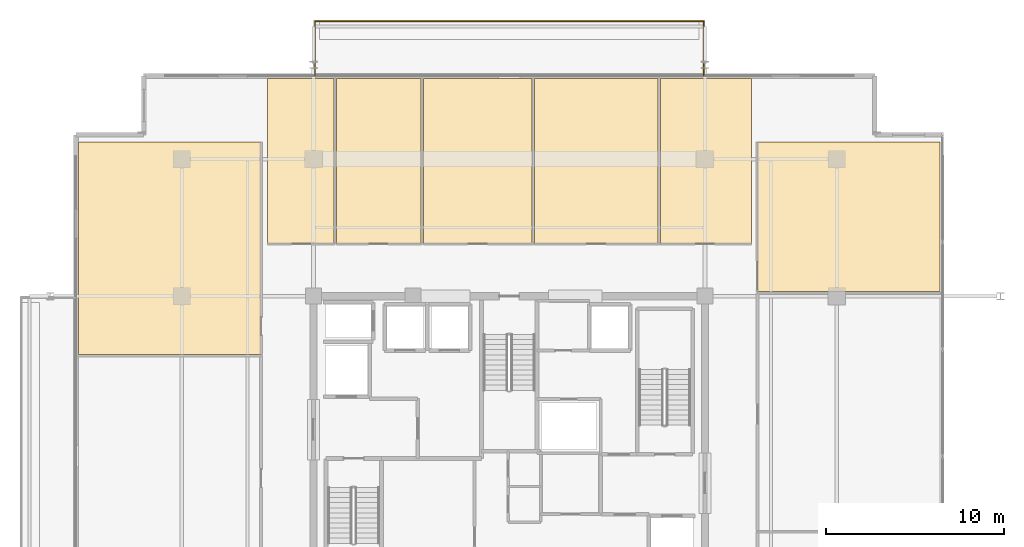
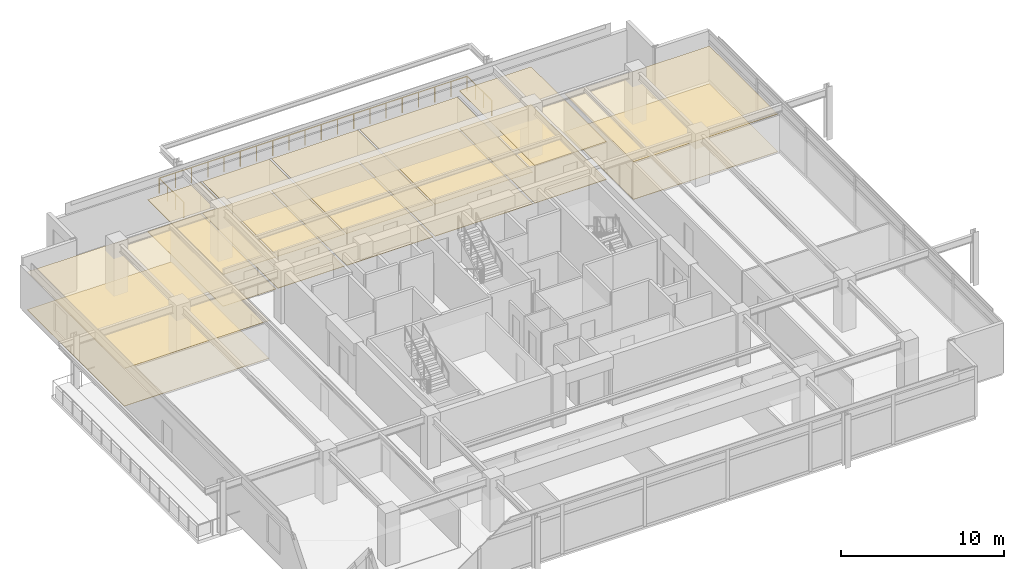
# One storey, part 20 of 20: 14 coverings, 1 railing.
"""IFC4 building model written with IfcOpenShell, lengths in metres."""

import ifcopenshell
import ifcopenshell.guid

model = None  # the IFC model being written
_history = None  # IfcOwnerHistory: only IFC2X3 demands one
_inside = {}  # id of a spatial element -> (the spatial element, [elements in it])
_under = {}  # id of a project, library or spatial element -> (it, [spatial elements below it])
_declared = {}  # id of a project -> (the project, [libraries it declares])
_typed = {}  # id of a type object -> (the type object, [elements of that type])
_made_of = {}  # id of a material, layer set ... -> (it, [elements and type objects made of it])


def new_model(schema):
    """Start an empty IFC model of exactly this schema.

    Asked for "IFC4X3", IfcOpenShell would pick the latest addendum, in which some entities
    have other attributes; the version numbers below select the first issue.
    IFC2X3 requires an IfcOwnerHistory on every rooted entity: one is made here for all.
    """
    global model, _history
    if schema == "IFC4X3":
        model = ifcopenshell.file(schema_version=(4, 3, 0, 0))
    else:
        model = ifcopenshell.file(schema=schema)
    _inside.clear()
    _under.clear()
    _declared.clear()
    _typed.clear()
    _made_of.clear()
    _history = None
    if model.schema == "IFC2X3":
        org = make("IfcOrganization", Name="unknown")
        user = make(
            "IfcPersonAndOrganization",
            ThePerson=make("IfcPerson", FamilyName="unknown"),
            TheOrganization=org,
        )
        app = make(
            "IfcApplication",
            ApplicationDeveloper=org,
            Version="unknown",
            ApplicationFullName="unknown",
            ApplicationIdentifier="unknown",
        )
        _history = make(
            "IfcOwnerHistory",
            OwningUser=user,
            OwningApplication=app,
            ChangeAction="ADDED",
            CreationDate=0,
        )
    return model


def make(cls, **values):
    """One entity of the class cls with the attributes given. An attribute that is None is left unset."""
    return model.create_entity(
        cls, **{name: value for name, value in values.items() if value is not None}
    )


def rooted(cls, **values):
    """An entity with a GlobalId (a new one), such as an element, a storey or a relation."""
    return make(cls, GlobalId=ifcopenshell.guid.new(), OwnerHistory=_history, **values)


def si_unit(unit_type, name, prefix=None):
    """IfcSIUnit, for example si_unit("LENGTHUNIT", "METRE", prefix="MILLI")."""
    return make("IfcSIUnit", UnitType=unit_type, Prefix=prefix, Name=name)


def assignment(units):
    """IfcUnitAssignment: the units of a project."""
    return None if units is None else make("IfcUnitAssignment", Units=units)


def point(xyz):
    """IfcCartesianPoint."""
    return None if xyz is None else make("IfcCartesianPoint", Coordinates=xyz)


def direction(xyz):
    """IfcDirection."""
    return None if xyz is None else make("IfcDirection", DirectionRatios=xyz)


def frame(location, z_axis=None, x_axis=None):
    """IfcAxis2Placement3D, a coordinate frame: its origin and axes. An axis left out is left unset."""
    return make(
        "IfcAxis2Placement3D",
        Location=point(location),
        Axis=direction(z_axis),
        RefDirection=direction(x_axis),
    )


def frame_2d(location, x_axis=None):
    """IfcAxis2Placement2D, a coordinate frame in the plane: its origin and x axis."""
    return make(
        "IfcAxis2Placement2D", Location=point(location), RefDirection=direction(x_axis)
    )


def origin():
    """The frame at (0, 0, 0) with its axes left unset."""
    return frame((0.0, 0.0, 0.0))


def origin_2d():
    """The frame at (0, 0) in the plane with its x axis left unset."""
    return frame_2d((0.0, 0.0))


def place(relative_to, where):
    """IfcLocalPlacement: puts the frame where relative to a parent placement (None: the world)."""
    return make(
        "IfcLocalPlacement", PlacementRelTo=relative_to, RelativePlacement=where
    )


def context(
    kind, dimensions, precision=None, world=None, true_north=None, identifier=None
):
    """IfcGeometricRepresentationContext, for example the 3D "Model" context."""
    return make(
        "IfcGeometricRepresentationContext",
        ContextIdentifier=identifier,
        ContextType=kind,
        CoordinateSpaceDimension=dimensions,
        Precision=precision,
        WorldCoordinateSystem=world,
        TrueNorth=true_north,
    )


def subcontext(parent, identifier, kind, view, scale=None):
    """IfcGeometricRepresentationSubContext, for example "Body" below "Model"."""
    return make(
        "IfcGeometricRepresentationSubContext",
        ContextIdentifier=identifier,
        ContextType=kind,
        ParentContext=parent,
        TargetScale=scale,
        TargetView=view,
    )


def project(units=None, contexts=None):
    """IfcProject with its units and contexts."""
    return rooted(
        "IfcProject",
        Name="project",
        RepresentationContexts=contexts,
        UnitsInContext=assignment(units),
    )


def spatial(cls, under=None, at=None, **own):
    """A site, building, storey or space (cls), placed at a placement, below another one or the project."""
    s = rooted(cls, ObjectPlacement=at, **own)
    if under is not None:
        _under.setdefault(under.id(), (under, []))[1].append(s)
    return s


def polyline(points):
    """IfcPolyline through the points."""
    return make("IfcPolyline", Points=[point(p) for p in points])


def profile(cls, at=None, kind="AREA", **sizes):
    """A parametric profile (cls). Its sizes go by their IFC names, for example OverallWidth=200.0."""
    return make(cls, ProfileType=kind, Position=at, **sizes)


def circle(**sizes):
    """IfcCircleProfileDef."""
    return profile("IfcCircleProfileDef", **sizes)


def outline(outer, holes=None, kind="AREA"):
    """IfcArbitraryClosedProfileDef: a profile drawn as a closed curve; with holes, ...WithVoids."""
    if holes is None:
        return make("IfcArbitraryClosedProfileDef", ProfileType=kind, OuterCurve=outer)
    return make(
        "IfcArbitraryProfileDefWithVoids",
        ProfileType=kind,
        OuterCurve=outer,
        InnerCurves=holes,
    )


def extrude(swept, where, along, depth):
    """IfcExtrudedAreaSolid: the profile swept, set in the frame where, extruded along a direction by depth."""
    return make(
        "IfcExtrudedAreaSolid",
        SweptArea=swept,
        Position=where,
        ExtrudedDirection=direction(along),
        Depth=depth,
    )


def shape(context_of_items, identifier, shape_type, items):
    """IfcShapeRepresentation: the items that make up one representation, for example the "Body"."""
    return make(
        "IfcShapeRepresentation",
        ContextOfItems=context_of_items,
        RepresentationIdentifier=identifier,
        RepresentationType=shape_type,
        Items=items,
    )


def material(Name=None, Category=None):
    """IfcMaterial."""
    return make("IfcMaterial", Name=Name, Category=Category)


def layer(
    of_material, thickness, ventilated=None, Name=None, Category=None, Priority=None
):
    """IfcMaterialLayer: one layer of a wall or slab, of a material (None: an air gap)."""
    return make(
        "IfcMaterialLayer",
        Material=of_material,
        LayerThickness=thickness,
        IsVentilated=ventilated,
        Name=Name,
        Category=Category,
        Priority=Priority,
    )


def layer_set(layers, Name=None):
    """IfcMaterialLayerSet."""
    return make("IfcMaterialLayerSet", MaterialLayers=layers, LayerSetName=Name)


def made_of(thing, what):
    """Note that an element or type object is made of a material, layer set ...; save() writes the relation."""
    if what is not None:
        _made_of.setdefault(what.id(), (what, []))[1].append(thing)
    return thing


def type_object(cls, material=None, **own):
    """A type object (cls), such as IfcWallType, which elements share."""
    return made_of(rooted(cls, **own), material)


def element(
    cls,
    number,
    at=None,
    inside=None,
    cuts=None,
    type_object=None,
    material=None,
    context=None,
    identifier="Body",
    shape_type=None,
    held_by="IfcProductDefinitionShape",
    body=None,
    shapes=None,
    **own,
):
    """One element of the class cls, such as IfcWall. Its Tag is "e" and its number.

    at: its placement. inside: the storey or other place that contains it. cuts: it is an
    opening in that element (IfcRelVoidsElement). A single representation is given by context,
    identifier, shape_type and body (its items); several are given by shapes. held_by: the class
    of the entity that holds the representations. save() writes the other relations.
    """
    e = rooted(cls, Tag="e%d" % number, ObjectPlacement=at, **own)
    if body is not None:
        shapes = [shape(context, identifier, shape_type, body)]
    if shapes is not None:
        e.Representation = make(held_by, Representations=shapes)
    if inside is not None:
        _inside.setdefault(inside.id(), (inside, []))[1].append(e)
    if cuts is not None:
        rooted(
            "IfcRelVoidsElement", RelatingBuildingElement=cuts, RelatedOpeningElement=e
        )
    if type_object is not None:
        _typed.setdefault(type_object.id(), (type_object, []))[1].append(e)
    return made_of(e, material)


def aggregate(whole, parts):
    """IfcRelAggregates: a whole, such as a stair, and the parts it consists of."""
    return rooted("IfcRelAggregates", RelatingObject=whole, RelatedObjects=parts)


def save(model, path):
    """Write the relations noted so far, then the file.

    IfcRelAggregates (storeys below a building ...), IfcRelContainedInSpatialStructure (elements
    in a storey), IfcRelDefinesByType, IfcRelAssociatesMaterial and IfcRelDeclares: one each for
    every whole, place, type object, material and project.
    """
    for whole, parts in _under.values():
        aggregate(whole, parts)
    for where, things in _inside.values():
        rooted(
            "IfcRelContainedInSpatialStructure",
            RelatedElements=things,
            RelatingStructure=where,
        )
    for kind, things in _typed.values():
        rooted("IfcRelDefinesByType", RelatedObjects=things, RelatingType=kind)
    for what, things in _made_of.values():
        rooted("IfcRelAssociatesMaterial", RelatedObjects=things, RelatingMaterial=what)
    for by, libraries in _declared.values():
        rooted("IfcRelDeclares", RelatingContext=by, RelatedDefinitions=libraries)
    model.write(path)


model = new_model("IFC4")

# Units and contexts
model_context = context("Model", 3, precision=1e-05, world=origin(), true_north=direction((0.0, 1.0)))
body_context = subcontext(model_context, "Body", "Model", "MODEL_VIEW")
ifc_project = project(units=[si_unit("LENGTHUNIT", "METRE"), si_unit("AREAUNIT", "SQUARE_METRE"), si_unit("VOLUMEUNIT", "CUBIC_METRE"), si_unit("PLANEANGLEUNIT", "RADIAN"), si_unit("MASSUNIT", "GRAM", prefix="KILO")], contexts=[model_context])

# Site, building, storey
site_placement = place(None, origin())
site = spatial("IfcSite", under=ifc_project, at=site_placement, CompositionType="ELEMENT")
building_placement = place(site_placement, origin())
building = spatial("IfcBuilding", under=site, at=building_placement, Name="Kovane Verandah Tower", CompositionType="ELEMENT")
storey_placement = place(building_placement, frame((0.0, 0.0, 334.800048828125)))
storey = spatial("IfcBuildingStorey", under=building, at=storey_placement, Name="L78", CompositionType="ELEMENT", Elevation=334.800048828125)

# Coverings
ifc_material_1 = material(Name="Perforated Acoustic Mineral-Fibre Ceiling Tile", Category="gypsum")
ifc_layer_1 = layer(ifc_material_1, 0.02490234375)
ifc_layer_set_1 = layer_set([ifc_layer_1], Name="Perforated Acoustic Mineral-Fibre Ceiling Tile")
covering_type_1 = type_object("IfcCoveringType", Name="CV-CEIL-25", PredefinedType="CEILING", material=ifc_layer_set_1)
covering_1_placement = place(storey_placement, frame((0.0, 0.0, 2.389892578125)))
element("IfcCovering", 1, at=covering_1_placement, inside=storey, type_object=covering_type_1, Name="L78 Focus Studio N1 Acoustic Ceiling", PredefinedType="CEILING", context=body_context, shape_type="SweptSolid", body=[
    extrude(outline(polyline([(26.39990234375, 39.449951171875), (30.137939453125, 39.449951171875), (30.137939453125, 48.72216796875), (26.39990234375, 48.72216796875), (26.39990234375, 39.449951171875)])), origin(), (0.0, 0.0, 1.0), 0.025146484375),
])
covering_2_placement = place(storey_placement, frame((0.0, 0.0, 2.389892578125)))
element("IfcCovering", 2, at=covering_2_placement, inside=storey, type_object=covering_type_1, Name="L78 Breakout Pantry N2 Acoustic Ceiling", PredefinedType="CEILING", context=body_context, shape_type="SweptSolid", body=[
    extrude(outline(polyline([(30.278076171875, 39.449951171875), (35.033935546875, 39.449951171875), (35.033935546875, 48.72216796875), (30.278076171875, 48.72216796875), (30.278076171875, 39.449951171875)])), origin(), (0.0, 0.0, 1.0), 0.025146484375),
])
covering_3_placement = place(storey_placement, frame((0.0, 0.0, 2.389892578125)))
element("IfcCovering", 3, at=covering_3_placement, inside=storey, type_object=covering_type_1, Name="L78 Collaboration Hub N3 Acoustic Ceiling", PredefinedType="CEILING", context=body_context, shape_type="SweptSolid", body=[
    extrude(outline(polyline([(35.174072265625, 39.449951171875), (41.2900390625, 39.449951171875), (41.2900390625, 48.72216796875), (35.174072265625, 48.72216796875), (35.174072265625, 39.449951171875)])), origin(), (0.0, 0.0, 1.0), 0.025146484375),
])
covering_4_placement = place(storey_placement, frame((0.0, 0.0, 2.389892578125)))
element("IfcCovering", 4, at=covering_4_placement, inside=storey, type_object=covering_type_1, Name="L78 Document and Print Room N4 Acoustic Ceiling", PredefinedType="CEILING", context=body_context, shape_type="SweptSolid", body=[
    extrude(outline(polyline([(41.429931640625, 39.449951171875), (48.362060546875, 39.449951171875), (48.362060546875, 48.72216796875), (41.429931640625, 48.72216796875), (41.429931640625, 39.449951171875)])), origin(), (0.0, 0.0, 1.0), 0.025146484375),
])
covering_5_placement = place(storey_placement, frame((0.0, 0.0, 2.824951171875)))
element("IfcCovering", 5, at=covering_5_placement, inside=storey, type_object=covering_type_1, Name="L78 Open Plan Office N5 Acoustic Ceiling", PredefinedType="CEILING", context=body_context, shape_type="SweptSolid", body=[
    extrude(outline(polyline([(48.501953125, 39.449951171875), (53.60009765625, 39.449951171875), (53.60009765625, 48.72216796875), (48.501953125, 48.72216796875), (48.501953125, 39.449951171875)])), origin(), (0.0, 0.0, 1.0), 0.02490234375),
])
covering_6_placement = place(storey_placement, frame((0.0, 0.0, 2.824951171875)))
element("IfcCovering", 6, at=covering_6_placement, inside=storey, type_object=covering_type_1, Name="L78 Document and Print Room W3 Acoustic Ceiling", PredefinedType="CEILING", context=body_context, shape_type="SweptSolid", body=[
    extrude(outline(polyline([(15.8056640625, 33.22509765625), (26.050048828125, 33.22509765625), (26.050048828125, 45.172119140625), (15.8056640625, 45.172119140625), (15.8056640625, 33.22509765625)])), origin(), (0.0, 0.0, 1.0), 0.02490234375),
])
covering_7_placement = place(storey_placement, frame((0.0, 0.0, 2.824951171875)))
element("IfcCovering", 7, at=covering_7_placement, inside=storey, type_object=covering_type_1, Name="L78 Client Boardroom E3 Acoustic Ceiling", PredefinedType="CEILING", context=body_context, shape_type="SweptSolid", body=[
    extrude(outline(polyline([(53.949951171875, 36.759521484375), (64.1943359375, 36.759521484375), (64.1943359375, 45.172119140625), (53.949951171875, 45.172119140625), (53.949951171875, 36.759521484375)])), origin(), (0.0, 0.0, 1.0), 0.02490234375),
])
ifc_material_2 = material(Name="Polished Terrazzo and Raised-Access Carpet Tile Finish", Category="concrete")
ifc_layer_2 = layer(ifc_material_2, 0.030029296875)
ifc_layer_set_2 = layer_set([ifc_layer_2], Name="Polished Terrazzo and Raised-Access Carpet Tile Finish")
covering_type_2 = type_object("IfcCoveringType", Name="CV-FLOR-30", PredefinedType="FLOORING", material=ifc_layer_set_2)
covering_8_placement = place(storey_placement, origin())
element("IfcCovering", 8, at=covering_8_placement, inside=storey, type_object=covering_type_2, Name="L78 Focus Studio N1 Floor Finish", PredefinedType="FLOORING", context=body_context, shape_type="SweptSolid", body=[
    extrude(outline(polyline([(26.39990234375, 39.449951171875), (30.137939453125, 39.449951171875), (30.137939453125, 48.72216796875), (26.39990234375, 48.72216796875), (26.39990234375, 39.449951171875)])), origin(), (0.0, 0.0, 1.0), 0.030029296875),
])
covering_9_placement = place(storey_placement, origin())
element("IfcCovering", 9, at=covering_9_placement, inside=storey, type_object=covering_type_2, Name="L78 Breakout Pantry N2 Floor Finish", PredefinedType="FLOORING", context=body_context, shape_type="SweptSolid", body=[
    extrude(outline(polyline([(30.278076171875, 39.449951171875), (35.033935546875, 39.449951171875), (35.033935546875, 48.72216796875), (30.278076171875, 48.72216796875), (30.278076171875, 39.449951171875)])), origin(), (0.0, 0.0, 1.0), 0.030029296875),
])
covering_10_placement = place(storey_placement, origin())
element("IfcCovering", 10, at=covering_10_placement, inside=storey, type_object=covering_type_2, Name="L78 Collaboration Hub N3 Floor Finish", PredefinedType="FLOORING", context=body_context, shape_type="SweptSolid", body=[
    extrude(outline(polyline([(35.174072265625, 39.449951171875), (41.2900390625, 39.449951171875), (41.2900390625, 48.72216796875), (35.174072265625, 48.72216796875), (35.174072265625, 39.449951171875)])), origin(), (0.0, 0.0, 1.0), 0.030029296875),
])
covering_11_placement = place(storey_placement, origin())
element("IfcCovering", 11, at=covering_11_placement, inside=storey, type_object=covering_type_2, Name="L78 Document and Print Room N4 Floor Finish", PredefinedType="FLOORING", context=body_context, shape_type="SweptSolid", body=[
    extrude(outline(polyline([(41.429931640625, 39.449951171875), (48.362060546875, 39.449951171875), (48.362060546875, 48.72216796875), (41.429931640625, 48.72216796875), (41.429931640625, 39.449951171875)])), origin(), (0.0, 0.0, 1.0), 0.030029296875),
])
covering_12_placement = place(storey_placement, origin())
element("IfcCovering", 12, at=covering_12_placement, inside=storey, type_object=covering_type_2, Name="L78 Open Plan Office N5 Floor Finish", PredefinedType="FLOORING", context=body_context, shape_type="SweptSolid", body=[
    extrude(outline(polyline([(48.501953125, 39.449951171875), (53.60009765625, 39.449951171875), (53.60009765625, 48.72216796875), (48.501953125, 48.72216796875), (48.501953125, 39.449951171875)])), origin(), (0.0, 0.0, 1.0), 0.030029296875),
])
covering_13_placement = place(storey_placement, origin())
element("IfcCovering", 13, at=covering_13_placement, inside=storey, type_object=covering_type_2, Name="L78 Document and Print Room W3 Floor Finish", PredefinedType="FLOORING", context=body_context, shape_type="SweptSolid", body=[
    extrude(outline(polyline([(15.8056640625, 33.22509765625), (26.050048828125, 33.22509765625), (26.050048828125, 45.172119140625), (15.8056640625, 45.172119140625), (15.8056640625, 33.22509765625)])), origin(), (0.0, 0.0, 1.0), 0.030029296875),
])
covering_14_placement = place(storey_placement, origin())
element("IfcCovering", 14, at=covering_14_placement, inside=storey, type_object=covering_type_2, Name="L78 Client Boardroom E3 Floor Finish", PredefinedType="FLOORING", context=body_context, shape_type="SweptSolid", body=[
    extrude(outline(polyline([(53.949951171875, 36.759521484375), (64.1943359375, 36.759521484375), (64.1943359375, 45.172119140625), (53.949951171875, 45.172119140625), (53.949951171875, 36.759521484375)])), origin(), (0.0, 0.0, 1.0), 0.030029296875),
])

# Railing
ifc_material_3 = material(Name="Laminated Glass and Pale-Champagne Stainless Balustrade", Category="glass")
railing_type = type_object("IfcRailingType", Name="RL-BAL-1150", PredefinedType="BALUSTRADE", material=ifc_material_3)
railing_placement = place(storey_placement, frame((29.080078125, 48.922119140625, 0.0)))
element("IfcRailing", 15, at=railing_placement, inside=storey, type_object=railing_type, Name="L78 N Verandah Glass Balustrade", PredefinedType="BALUSTRADE", context=body_context, shape_type="SweptSolid", body=[
    extrude(circle(Radius=0.02392578125, at=origin_2d()), frame((0.0, 0.0, 1.1259765625), z_axis=(0.0, 1.0, 0.0), x_axis=(-1.0, 0.0, 0.0)), (0.0, 0.0, 1.0), 3.02001953125),
    extrude(circle(Radius=0.02392578125, at=origin_2d()), frame((0.0, 3.02001953125, 1.1259765625), z_axis=(1.0, 0.0, 0.0), x_axis=(0.0, 1.0, 0.0)), (0.0, 0.0, 1.0), 21.83984375),
    extrude(circle(Radius=0.02392578125, at=origin_2d()), frame((21.83984375, 3.02001953125, 1.1259765625), z_axis=(0.0, -1.0, 0.0), x_axis=(1.0, 0.0, 0.0)), (0.0, 0.0, 1.0), 3.02001953125),
    extrude(circle(Radius=0.02099609375, at=origin_2d()), origin(), (0.0, 0.0, 1.0), 1.101806640625),
    extrude(circle(Radius=0.02099609375, at=origin_2d()), frame((0.0, 1.006591796875, 0.0)), (0.0, 0.0, 1.0), 1.101806640625),
    extrude(circle(Radius=0.02099609375, at=origin_2d()), frame((0.0, 2.013427734375, 0.0)), (0.0, 0.0, 1.0), 1.101806640625),
    extrude(circle(Radius=0.02099609375, at=origin_2d()), frame((0.0, 3.02001953125, 0.0)), (0.0, 0.0, 1.0), 1.101806640625),
    extrude(circle(Radius=0.02099609375, at=origin_2d()), frame((1.1494140625, 3.02001953125, 0.0)), (0.0, 0.0, 1.0), 1.101806640625),
    extrude(circle(Radius=0.02099609375, at=origin_2d()), frame((2.298828125, 3.02001953125, 0.0)), (0.0, 0.0, 1.0), 1.101806640625),
    extrude(circle(Radius=0.02099609375, at=origin_2d()), frame((3.448486328125, 3.02001953125, 0.0)), (0.0, 0.0, 1.0), 1.101806640625),
    extrude(circle(Radius=0.02099609375, at=origin_2d()), frame((4.597900390625, 3.02001953125, 0.0)), (0.0, 0.0, 1.0), 1.101806640625),
    extrude(circle(Radius=0.02099609375, at=origin_2d()), frame((5.747314453125, 3.02001953125, 0.0)), (0.0, 0.0, 1.0), 1.101806640625),
    extrude(circle(Radius=0.02099609375, at=origin_2d()), frame((6.896728515625, 3.02001953125, 0.0)), (0.0, 0.0, 1.0), 1.101806640625),
    extrude(circle(Radius=0.02099609375, at=origin_2d()), frame((8.046142578125, 3.02001953125, 0.0)), (0.0, 0.0, 1.0), 1.101806640625),
    extrude(circle(Radius=0.02099609375, at=origin_2d()), frame((9.19580078125, 3.02001953125, 0.0)), (0.0, 0.0, 1.0), 1.101806640625),
    extrude(circle(Radius=0.02099609375, at=origin_2d()), frame((10.34521484375, 3.02001953125, 0.0)), (0.0, 0.0, 1.0), 1.101806640625),
    extrude(circle(Radius=0.02099609375, at=origin_2d()), frame((11.49462890625, 3.02001953125, 0.0)), (0.0, 0.0, 1.0), 1.101806640625),
    extrude(circle(Radius=0.02099609375, at=origin_2d()), frame((12.64404296875, 3.02001953125, 0.0)), (0.0, 0.0, 1.0), 1.101806640625),
    extrude(circle(Radius=0.02099609375, at=origin_2d()), frame((13.793701171875, 3.02001953125, 0.0)), (0.0, 0.0, 1.0), 1.101806640625),
    extrude(circle(Radius=0.02099609375, at=origin_2d()), frame((14.943115234375, 3.02001953125, 0.0)), (0.0, 0.0, 1.0), 1.101806640625),
    extrude(circle(Radius=0.02099609375, at=origin_2d()), frame((16.092529296875, 3.02001953125, 0.0)), (0.0, 0.0, 1.0), 1.101806640625),
    extrude(circle(Radius=0.02099609375, at=origin_2d()), frame((17.241943359375, 3.02001953125, 0.0)), (0.0, 0.0, 1.0), 1.101806640625),
    extrude(circle(Radius=0.02099609375, at=origin_2d()), frame((18.391357421875, 3.02001953125, 0.0)), (0.0, 0.0, 1.0), 1.101806640625),
    extrude(circle(Radius=0.02099609375, at=origin_2d()), frame((19.541015625, 3.02001953125, 0.0)), (0.0, 0.0, 1.0), 1.101806640625),
    extrude(circle(Radius=0.02099609375, at=origin_2d()), frame((20.6904296875, 3.02001953125, 0.0)), (0.0, 0.0, 1.0), 1.101806640625),
    extrude(circle(Radius=0.02099609375, at=origin_2d()), frame((21.83984375, 3.02001953125, 0.0)), (0.0, 0.0, 1.0), 1.101806640625),
    extrude(circle(Radius=0.02099609375, at=origin_2d()), frame((21.83984375, 2.013427734375, 0.0)), (0.0, 0.0, 1.0), 1.101806640625),
    extrude(circle(Radius=0.02099609375, at=origin_2d()), frame((21.83984375, 1.006591796875, 0.0)), (0.0, 0.0, 1.0), 1.101806640625),
    extrude(circle(Radius=0.02099609375, at=origin_2d()), frame((21.83984375, 0.0, 0.0)), (0.0, 0.0, 1.0), 1.101806640625),
])

save(model, "model.ifc")
